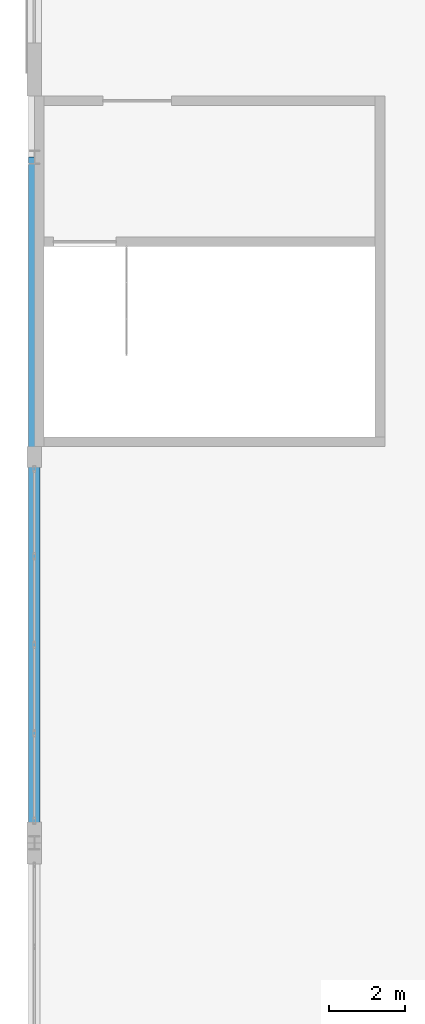
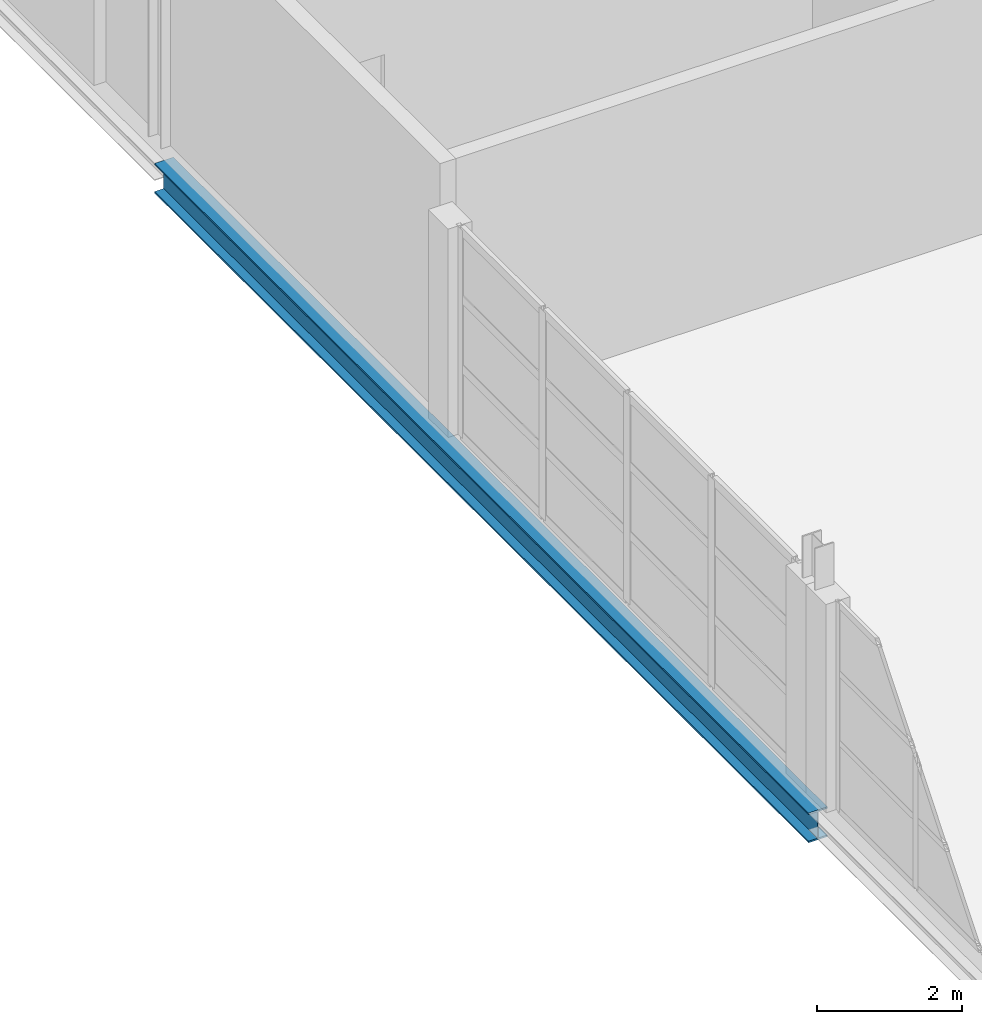
# One storey, part 33 of 147: 1 beam.
"""IFC4 building model written with IfcOpenShell, lengths in metres."""

from ifc_helpers import new_model, si_unit, direction, frame, origin, origin_2d, place, context, subcontext, project, spatial, i_section, extrude, material, material_profile, profile_set, type_object, element, save


model = new_model("IFC4")

# Units and contexts
model_context = context("Model", 3, precision=1e-05, world=origin(), true_north=direction((0.0, 1.0)))
body_context = subcontext(model_context, "Body", "Model", "MODEL_VIEW")
ifc_project = project(units=[si_unit("LENGTHUNIT", "METRE"), si_unit("AREAUNIT", "SQUARE_METRE"), si_unit("VOLUMEUNIT", "CUBIC_METRE"), si_unit("PLANEANGLEUNIT", "RADIAN"), si_unit("MASSUNIT", "GRAM", prefix="KILO")], contexts=[model_context])

# Site, building, storey
site_placement = place(None, origin())
site = spatial("IfcSite", under=ifc_project, at=site_placement, CompositionType="ELEMENT")
building_placement = place(site_placement, origin())
building = spatial("IfcBuilding", under=site, at=building_placement, Name="Zilviju Railside Exhibition Hall", CompositionType="ELEMENT")
storey_placement = place(building_placement, frame((0.0, 0.0, 8.39990234375)))
storey = spatial("IfcBuildingStorey", under=building, at=storey_placement, Name="L03", CompositionType="ELEMENT", Elevation=8.39990234375)

# Beam
ifc_material = material(Name="Steel S355J2", Category="steel")
ifc_material_profile = material_profile(ifc_material, i_section(OverallWidth=0.300048828125, OverallDepth=0.5, WebThickness=0.014404296875, FlangeThickness=0.028076171875, at=origin_2d()), Name="HEB 500")
ifc_profile_set = profile_set([ifc_material_profile], Name="Steel S355J2")
beam_type = type_object("IfcBeamType", Name="BM-HEB500", PredefinedType="BEAM", material=ifc_profile_set)
beam_placement = place(storey_placement, frame((0.0, 48.0, -0.599853515625), z_axis=(0.0, 1.0, 0.0), x_axis=(-1.0, 0.0, 0.0)))
element("IfcBeam", 1, at=beam_placement, inside=storey, type_object=beam_type, Name="Transverse Girder L03 X=0.0 (48.0..66.0)", PredefinedType="BEAM", context=body_context, shape_type="SweptSolid", body=[
    extrude(i_section(OverallWidth=0.300048828125, OverallDepth=0.5, WebThickness=0.014404296875, FlangeThickness=0.028076171875, at=origin_2d()), origin(), (0.0, 0.0, 1.0), 18.0),
])

save(model, "model.ifc")
